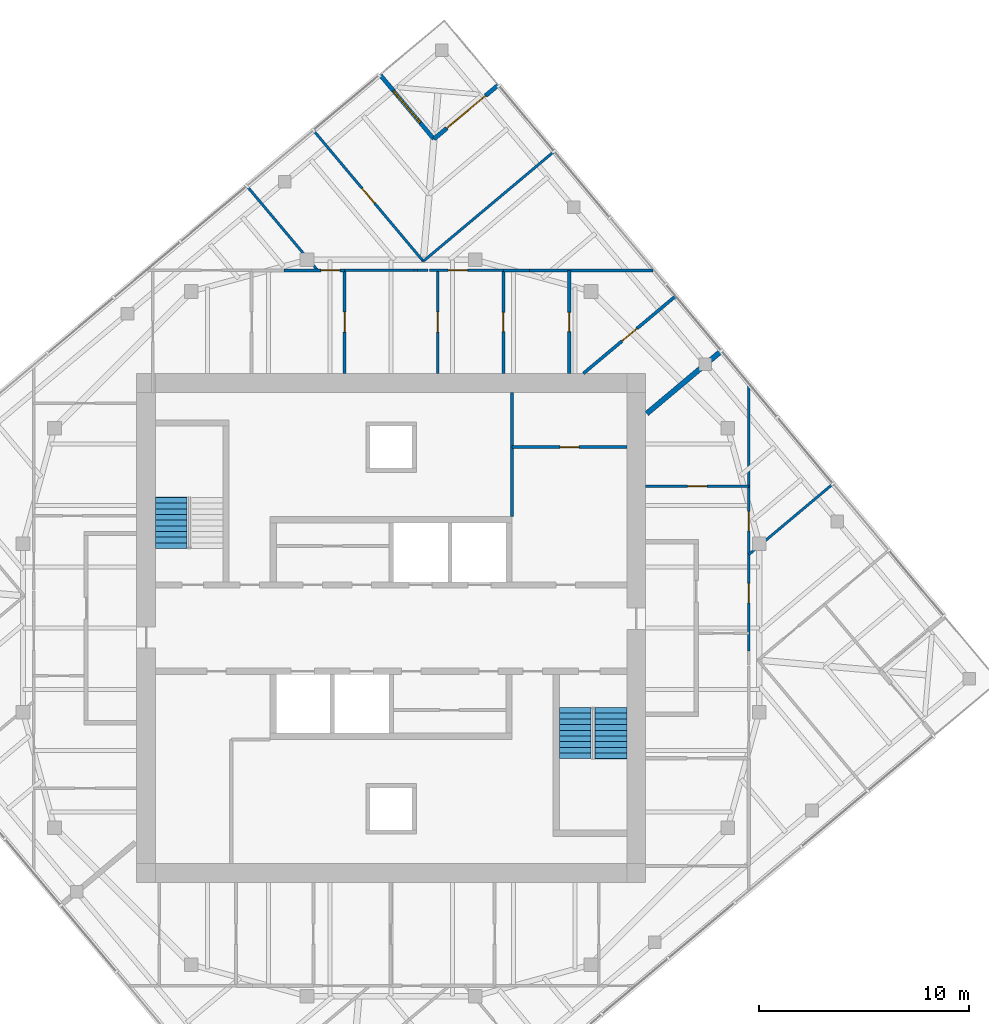
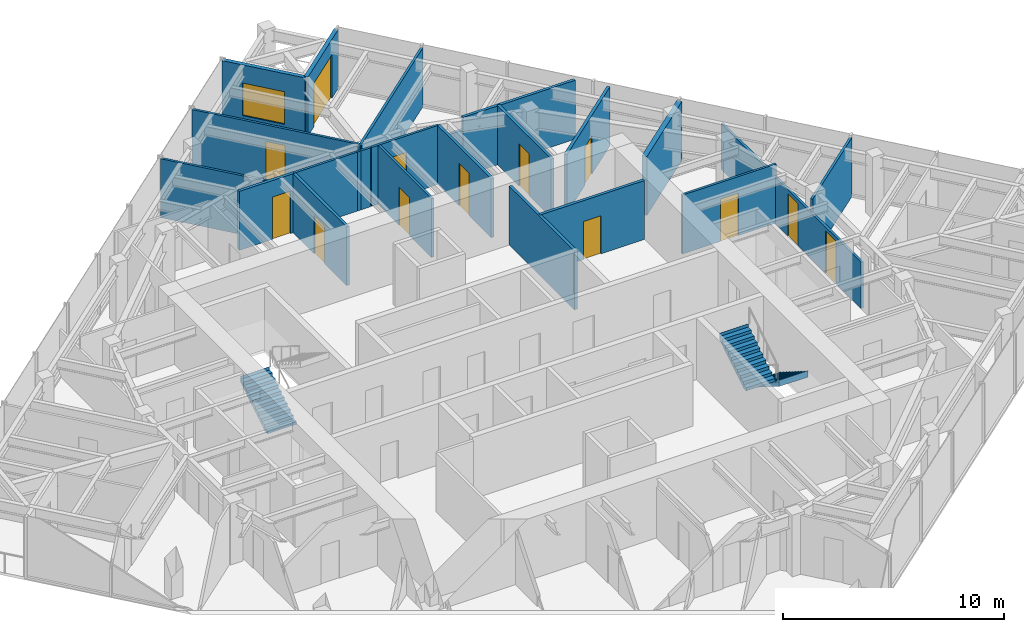
# One storey, part 10 of 12: 23 walls, 13 doors, 3 stair flights, 1 window, 14 openings, 2 elements without a shape of their own.
"""IFC4 building model written with IfcOpenShell, lengths in metres."""

from ifc_helpers import new_model, si_unit, direction, frame, frame_2d, origin, place, context, subcontext, project, spatial, polyline, rectangle, outline, extrude, material, layer, layer_set, type_object, element, fill, aggregate, save


model = new_model("IFC4")

# Units and contexts
model_context = context("Model", 3, precision=1e-05, world=origin(), true_north=direction((0.0, 1.0)))
body_context = subcontext(model_context, "Body", "Model", "MODEL_VIEW")
ifc_project = project(units=[si_unit("LENGTHUNIT", "METRE"), si_unit("AREAUNIT", "SQUARE_METRE"), si_unit("VOLUMEUNIT", "CUBIC_METRE"), si_unit("PLANEANGLEUNIT", "RADIAN"), si_unit("MASSUNIT", "GRAM", prefix="KILO")], contexts=[model_context])

# Site, building, storey
site_placement = place(None, origin())
site = spatial("IfcSite", under=ifc_project, at=site_placement, CompositionType="ELEMENT")
building_placement = place(site_placement, origin())
building = spatial("IfcBuilding", under=site, at=building_placement, Name="Torsade Residences", CompositionType="ELEMENT")
storey_placement = place(building_placement, frame((0.0, 0.0, 279.39990234375)))
storey = spatial("IfcBuildingStorey", under=building, at=storey_placement, Name="L77", CompositionType="ELEMENT", Elevation=279.39990234375)

# Wall, opening, door
ifc_material_1 = material(Name="Plasterboard on steel stud", Category="steel")
ifc_layer_1 = layer(ifc_material_1, 0.1201171875)
ifc_layer_set_1 = layer_set([ifc_layer_1], Name="Plasterboard on steel stud")
wall_type_1 = type_object("IfcWallType", Name="PARTITION 120", PredefinedType="PARTITIONING", material=ifc_layer_set_1)
wall_1_placement = place(storey_placement, frame((52.10009765625, 36.729736328125, 0.0), z_axis=(0.0, 0.0, 1.0), x_axis=(1.0, 0.0, 0.0)))
wall_1 = element("IfcWall", 1, at=wall_1_placement, inside=storey, type_object=wall_type_1, Name="Partition L77", PredefinedType="PARTITIONING", context=body_context, shape_type="SweptSolid", body=[
    extrude(rectangle(XDim=4.89990234375, YDim=0.1201171875, at=frame_2d((2.449951171875, 0.0))), origin(), (0.0, 0.0, 1.0), 3.25),
])
opening_1_placement = place(wall_1_placement, frame((1.989990234375, 0.0, 0.0)))
opening_1 = element("IfcOpeningElement", 2, at=opening_1_placement, cuts=wall_1, Name="Opening D02", PredefinedType="OPENING", context=body_context, shape_type="SweptSolid", body=[
    extrude(rectangle(XDim=0.919921875, YDim=2.340087890625, at=frame_2d((0.4599609375, 1.169921875))), frame((0.0, 0.070068359375, 0.0), z_axis=(0.0, -1.0, 0.0), x_axis=(1.0, 0.0, 0.0)), (0.0, 0.0, 1.0), 0.14013671875),
])
ifc_material_2 = material(Name="Hollow-core timber door", Category="wood")
door_type_1 = type_object("IfcDoorType", Name="INTERNAL DOOR 920x2340", OperationType="NOTDEFINED", PredefinedType="DOOR", material=ifc_material_2)
door_1_placement = place(opening_1_placement, origin())
door_1 = element("IfcDoor", 3, at=door_1_placement, inside=storey, type_object=door_type_1, Name="Door Kitchen and dining to Scullery", OperationType="SINGLE_SWING_RIGHT", OverallHeight=2.340087890625, OverallWidth=0.919921875, PredefinedType="DOOR", context=body_context, shape_type="SweptSolid", body=[
    extrude(rectangle(XDim=0.919921875, YDim=2.340087890625, at=frame_2d((0.4599609375, 1.169921875))), frame((0.0, 0.02490234375, 0.0), z_axis=(0.0, -1.0, 0.0), x_axis=(1.0, 0.0, 0.0)), (0.0, 0.0, 1.0), 0.050048828125),
])
fill(opening_1, door_1)

# Wall, openings, doors
wall_2_placement = place(storey_placement, frame((57.0, 41.5703125, 0.0), z_axis=(0.0, 0.0, 1.0), x_axis=(0.0, -1.0, 0.0)))
wall_2 = element("IfcWall", 4, at=wall_2_placement, inside=storey, type_object=wall_type_1, Name="Partition L77", PredefinedType="PARTITIONING", context=body_context, shape_type="SweptSolid", body=[
    extrude(rectangle(XDim=12.65576171875, YDim=0.1201171875, at=frame_2d((6.327880859375, 0.0))), origin(), (0.0, 0.0, 1.0), 2.550048828125),
])
opening_2_placement = place(wall_2_placement, frame((9.449462890625, 0.0, 0.0)))
opening_2 = element("IfcOpeningElement", 5, at=opening_2_placement, cuts=wall_2, Name="Opening D02", PredefinedType="OPENING", context=body_context, shape_type="SweptSolid", body=[
    extrude(rectangle(XDim=0.919921875, YDim=2.340087890625, at=frame_2d((0.4599609375, 1.169921875))), frame((0.0, 0.070068359375, 0.0), z_axis=(0.0, -1.0, 0.0), x_axis=(1.0, 0.0, 0.0)), (0.0, 0.0, 1.0), 0.14013671875),
])
opening_3_placement = place(wall_2_placement, frame((6.030517578125, 0.0, 0.0)))
opening_3 = element("IfcOpeningElement", 6, at=opening_3_placement, cuts=wall_2, Name="Opening D02", PredefinedType="OPENING", context=body_context, shape_type="SweptSolid", body=[
    extrude(rectangle(XDim=0.919921875, YDim=2.340087890625, at=frame_2d((0.4599609375, 1.169921875))), frame((0.0, 0.070068359375, 0.0), z_axis=(0.0, -1.0, 0.0), x_axis=(1.0, 0.0, 0.0)), (0.0, 0.0, 1.0), 0.14013671875),
])
door_2_placement = place(opening_2_placement, origin())
door_2 = element("IfcDoor", 7, at=door_2_placement, inside=storey, type_object=door_type_1, Name="Door Kitchen and dining to Bedroom 4", OperationType="SINGLE_SWING_LEFT", OverallHeight=2.340087890625, OverallWidth=0.919921875, PredefinedType="DOOR", context=body_context, shape_type="SweptSolid", body=[
    extrude(rectangle(XDim=0.919921875, YDim=2.340087890625, at=frame_2d((0.4599609375, 1.169921875))), frame((0.0, 0.02490234375, 0.0), z_axis=(0.0, -1.0, 0.0), x_axis=(1.0, 0.0, 0.0)), (0.0, 0.0, 1.0), 0.050048828125),
])
fill(opening_2, door_2)
door_3_placement = place(opening_3_placement, origin())
door_3 = element("IfcDoor", 8, at=door_3_placement, inside=storey, type_object=door_type_1, Name="Door Kitchen and dining to Media room", OperationType="SINGLE_SWING_RIGHT", OverallHeight=2.340087890625, OverallWidth=0.919921875, PredefinedType="DOOR", context=body_context, shape_type="SweptSolid", body=[
    extrude(rectangle(XDim=0.919921875, YDim=2.340087890625, at=frame_2d((0.4599609375, 1.169921875))), frame((0.0, 0.02490234375, 0.0), z_axis=(0.0, -1.0, 0.0), x_axis=(1.0, 0.0, 0.0)), (0.0, 0.0, 1.0), 0.050048828125),
])
fill(opening_3, door_3)

# Wall
wall_3_placement = place(storey_placement, frame((57.0, 33.4951171875, 0.0), z_axis=(0.0, 0.0, 1.0), x_axis=(0.76605407051, 0.642776136034, 0.0)))
element("IfcWall", 9, at=wall_3_placement, inside=storey, type_object=wall_type_1, Name="Partition L77", PredefinedType="PARTITIONING", context=body_context, shape_type="SweptSolid", body=[
    extrude(rectangle(XDim=5.190673828125, YDim=0.1201171875, at=frame_2d((2.59521484375, 0.0))), origin(), (0.0, 0.0, 1.0), 3.25),
])

# Wall, opening, door
wall_4_placement = place(storey_placement, frame((42.208251953125, 47.0, 0.0), z_axis=(0.0, 0.0, 1.0), x_axis=(0.0, -1.0, 0.0)))
wall_4 = element("IfcWall", 10, at=wall_4_placement, inside=storey, type_object=wall_type_1, Name="Partition L77", PredefinedType="PARTITIONING", context=body_context, shape_type="SweptSolid", body=[
    extrude(rectangle(XDim=4.89990234375, YDim=0.1201171875, at=frame_2d((2.449951171875, 0.0))), origin(), (0.0, 0.0, 1.0), 3.25),
])
opening_4_placement = place(wall_4_placement, frame((1.969970703125, 0.0, 0.0)))
opening_4 = element("IfcOpeningElement", 11, at=opening_4_placement, cuts=wall_4, Name="Opening D05", PredefinedType="OPENING", context=body_context, shape_type="SweptSolid", body=[
    extrude(rectangle(XDim=0.9599609375, YDim=2.10009765625, at=frame_2d((0.47998046875, 1.050048828125))), frame((0.0, 0.070068359375, 0.0), z_axis=(0.0, -1.0, 0.0), x_axis=(1.0, 0.0, 0.0)), (0.0, 0.0, 1.0), 0.14013671875),
])
ifc_material_3 = material(Name="Hollow-core timber door in a steel cavity frame", Category="steel")
door_type_2 = type_object("IfcDoorType", Name="BATHROOM CAVITY SLIDING DOOR 960", OperationType="SLIDING_TO_LEFT", PredefinedType="DOOR", material=ifc_material_3)
door_4_placement = place(opening_4_placement, origin())
door_4 = element("IfcDoor", 12, at=door_4_placement, inside=storey, type_object=door_type_2, Name="Door Laundry to Walk-in robe", OperationType="SLIDING_TO_LEFT", OverallHeight=2.10009765625, OverallWidth=0.9599609375, PredefinedType="DOOR", context=body_context, shape_type="SweptSolid", body=[
    extrude(rectangle(XDim=0.9599609375, YDim=2.10009765625, at=frame_2d((0.47998046875, 1.050048828125))), frame((0.0, 0.02490234375, 0.0), z_axis=(0.0, -1.0, 0.0), x_axis=(1.0, 0.0, 0.0)), (0.0, 0.0, 1.0), 0.050048828125),
])
fill(opening_4, door_4)

# Wall
wall_5_placement = place(storey_placement, frame((41.257568359375, 47.0, 0.0), z_axis=(0.0, 0.0, 1.0), x_axis=(1.0, 0.0, 0.0)))
element("IfcWall", 13, at=wall_5_placement, inside=storey, type_object=wall_type_1, Name="Partition L77", PredefinedType="PARTITIONING", context=body_context, shape_type="SweptSolid", body=[
    extrude(rectangle(XDim=0.503662109375, YDim=0.1201171875, at=frame_2d((0.251953125, 0.0))), origin(), (0.0, 0.0, 1.0), 3.25),
])

# Wall, opening, door
wall_6_placement = place(storey_placement, frame((41.824462890625, 47.0, 0.0), z_axis=(0.0, 0.0, 1.0), x_axis=(1.0, 0.0, 0.0)))
wall_6 = element("IfcWall", 14, at=wall_6_placement, inside=storey, type_object=wall_type_1, Name="Partition L77", PredefinedType="PARTITIONING", context=body_context, shape_type="SweptSolid", body=[
    extrude(rectangle(XDim=3.51123046875, YDim=0.1201171875, at=frame_2d((1.755615234375, 0.0))), origin(), (0.0, 0.0, 1.0), 3.25),
])
opening_5_placement = place(wall_6_placement, frame((0.887451171875, 0.0, 0.0)))
opening_5 = element("IfcOpeningElement", 15, at=opening_5_placement, cuts=wall_6, Name="Opening D02", PredefinedType="OPENING", context=body_context, shape_type="SweptSolid", body=[
    extrude(rectangle(XDim=0.919921875, YDim=2.340087890625, at=frame_2d((0.4599609375, 1.169921875))), frame((0.0, 0.070068359375, 0.0), z_axis=(0.0, -1.0, 0.0), x_axis=(1.0, 0.0, 0.0)), (0.0, 0.0, 1.0), 0.14013671875),
])
door_5_placement = place(opening_5_placement, origin())
door_5 = element("IfcDoor", 16, at=door_5_placement, inside=storey, type_object=door_type_1, Name="Door Walk-in robe to Bedroom 2", OperationType="SINGLE_SWING_RIGHT", OverallHeight=2.340087890625, OverallWidth=0.919921875, PredefinedType="DOOR", context=body_context, shape_type="SweptSolid", body=[
    extrude(rectangle(XDim=0.919921875, YDim=2.340087890625, at=frame_2d((0.4599609375, 1.169921875))), frame((0.0, 0.02490234375, 0.0), z_axis=(0.0, -1.0, 0.0), x_axis=(1.0, 0.0, 0.0)), (0.0, 0.0, 1.0), 0.050048828125),
])
fill(opening_5, door_5)

# Walls
wall_7_placement = place(storey_placement, frame((37.7861328125, 47.0, 0.0), z_axis=(0.0, 0.0, 1.0), x_axis=(1.0, 0.0, 0.0)))
element("IfcWall", 17, at=wall_7_placement, inside=storey, type_object=wall_type_1, Name="Partition L77", PredefinedType="PARTITIONING", context=body_context, shape_type="SweptSolid", body=[
    extrude(rectangle(XDim=3.29931640625, YDim=0.1201171875, at=frame_2d((1.649658203125, 0.0))), origin(), (0.0, 0.0, 1.0), 3.25),
])
wall_8_placement = place(storey_placement, frame((47.71875, 52.63134765625, 0.0), z_axis=(0.0, 0.0, 1.0), x_axis=(-0.766033729027, -0.642800378028, 0.0)))
element("IfcWall", 18, at=wall_8_placement, inside=storey, type_object=wall_type_1, Name="Partition L77", PredefinedType="PARTITIONING", context=body_context, shape_type="SweptSolid", body=[
    extrude(rectangle(XDim=8.0849609375, YDim=0.1201171875, at=frame_2d((4.04248046875, 0.0))), origin(), (0.0, 0.0, 1.0), 3.25),
])

# Wall, opening, door
wall_9_placement = place(storey_placement, frame((41.525390625, 47.434326171875, 0.0), z_axis=(0.0, 0.0, 1.0), x_axis=(-0.642800378028, 0.766033729027, 0.0)))
wall_9 = element("IfcWall", 19, at=wall_9_placement, inside=storey, type_object=wall_type_1, Name="Partition L77", PredefinedType="PARTITIONING", context=body_context, shape_type="SweptSolid", body=[
    extrude(rectangle(XDim=8.0849609375, YDim=0.1201171875, at=frame_2d((4.04248046875, 0.0))), origin(), (0.0, 0.0, 1.0), 3.25),
])
opening_6_placement = place(wall_9_placement, frame((3.6025390625, 0.0, 0.0)))
opening_6 = element("IfcOpeningElement", 20, at=opening_6_placement, cuts=wall_9, Name="Opening D02", PredefinedType="OPENING", context=body_context, shape_type="SweptSolid", body=[
    extrude(rectangle(XDim=0.919921875, YDim=2.340087890625, at=frame_2d((0.4599609375, 1.169921875))), frame((0.0, 0.070068359375, 0.0), z_axis=(0.0, -1.0, 0.0), x_axis=(1.0, 0.0, 0.0)), (0.0, 0.0, 1.0), 0.14013671875),
])
door_6_placement = place(opening_6_placement, origin())
door_6 = element("IfcDoor", 21, at=door_6_placement, inside=storey, type_object=door_type_1, Name="Door Bedroom 4 to Living room", OperationType="SINGLE_SWING_RIGHT", OverallHeight=2.340087890625, OverallWidth=0.919921875, PredefinedType="DOOR", context=body_context, shape_type="SweptSolid", body=[
    extrude(rectangle(XDim=0.919921875, YDim=2.340087890625, at=frame_2d((0.4599609375, 1.169921875))), frame((0.0, 0.02490234375, 0.0), z_axis=(0.0, -1.0, 0.0), x_axis=(1.0, 0.0, 0.0)), (0.0, 0.0, 1.0), 0.050048828125),
])
fill(opening_6, door_6)

# Walls
wall_10_placement = place(storey_placement, frame((36.5048828125, 47.0, 0.0), z_axis=(0.0, 0.0, 1.0), x_axis=(-0.642776136034, 0.76605407051, 0.0)))
element("IfcWall", 22, at=wall_10_placement, inside=storey, type_object=wall_type_1, Name="Partition L77", PredefinedType="PARTITIONING", context=body_context, shape_type="SweptSolid", body=[
    extrude(rectangle(XDim=5.190673828125, YDim=0.1201171875, at=frame_2d((2.59521484375, 0.0))), origin(), (0.0, 0.0, 1.0), 3.25),
])
wall_11_placement = place(storey_placement, frame((41.257568359375, 47.0, 0.0), z_axis=(0.0, 0.0, 1.0), x_axis=(-1.0, 0.0, 0.0)))
element("IfcWall", 23, at=wall_11_placement, inside=storey, type_object=wall_type_1, Name="Partition L77", PredefinedType="PARTITIONING", context=body_context, shape_type="SweptSolid", body=[
    extrude(rectangle(XDim=0.172119140625, YDim=0.1201171875, at=frame_2d((0.0859375, 0.0))), origin(), (0.0, 0.0, 1.0), 3.25),
])
ifc_material_4 = material(Name="Masonry-lined stud party wall", Category="masonry")
ifc_layer_2 = layer(ifc_material_4, 0.25)
ifc_layer_set_2 = layer_set([ifc_layer_2], Name="Masonry-lined stud party wall")
wall_type_2 = type_object("IfcWallType", Name="PARTY WALL 250", PredefinedType="PARTITIONING", material=ifc_layer_set_2)
wall_12_placement = place(storey_placement, frame((55.703857421875, 43.17724609375, 0.0), z_axis=(0.0, 0.0, 1.0), x_axis=(-0.76603440109, -0.64279957712, 0.0)))
element("IfcWall", 24, at=wall_12_placement, inside=storey, type_object=wall_type_2, Name="Party wall L77", PredefinedType="PARTITIONING", context=body_context, shape_type="SweptSolid", body=[
    extrude(rectangle(XDim=4.6396484375, YDim=0.25, at=frame_2d((2.31982421875, 0.0))), origin(), (0.0, 0.0, 1.0), 3.25),
])
ifc_material_5 = material(Name="Reinforced blockwork", Category="masonry")
ifc_layer_3 = layer(ifc_material_5, 0.14990234375)
ifc_layer_set_3 = layer_set([ifc_layer_3], Name="Reinforced blockwork")
wall_type_3 = type_object("IfcWallType", Name="SERVICE ROOM WALL 150", PredefinedType="SOLIDWALL", material=ifc_layer_set_3)
wall_13_placement = place(storey_placement, frame((45.75, 41.199951171875, 0.0), z_axis=(0.0, 0.0, 1.0), x_axis=(0.0, -1.0, 0.0)))
element("IfcWall", 25, at=wall_13_placement, inside=storey, type_object=wall_type_3, Name="Service room wall L77", PredefinedType="SOLIDWALL", context=body_context, shape_type="SweptSolid", body=[
    extrude(rectangle(XDim=5.89990234375, YDim=0.14990234375, at=frame_2d((2.949951171875, 0.0))), origin(), (0.0, 0.0, 1.0), 3.25),
])

# Wall, opening, door
wall_14_placement = place(storey_placement, frame((45.75, 38.60009765625, 0.0), z_axis=(0.0, 0.0, 1.0), x_axis=(1.0, 0.0, 0.0)))
wall_14 = element("IfcWall", 26, at=wall_14_placement, inside=storey, type_object=wall_type_3, Name="Service room wall L77", PredefinedType="SOLIDWALL", context=body_context, shape_type="SweptSolid", body=[
    extrude(rectangle(XDim=5.449951171875, YDim=0.14990234375, at=frame_2d((2.72509765625, 0.0))), origin(), (0.0, 0.0, 1.0), 3.25),
])
opening_7_placement = place(wall_14_placement, frame((2.264892578125, 0.0, 0.0)))
opening_7 = element("IfcOpeningElement", 27, at=opening_7_placement, cuts=wall_14, Name="Opening D06", PredefinedType="OPENING", context=body_context, shape_type="SweptSolid", body=[
    extrude(rectangle(XDim=0.919921875, YDim=2.10009765625, at=frame_2d((0.4599609375, 1.050048828125))), frame((0.0, 0.0849609375, 0.0), z_axis=(0.0, -1.0, 0.0), x_axis=(1.0, 0.0, 0.0)), (0.0, 0.0, 1.0), 0.169921875),
])
ifc_material_6 = material(Name="Steel-framed fire door", Category="steel")
door_type_3 = type_object("IfcDoorType", Name="FIRE DOOR 920", OperationType="NOTDEFINED", PredefinedType="DOOR", material=ifc_material_6)
door_7_placement = place(opening_7_placement, origin())
door_7 = element("IfcDoor", 28, at=door_7_placement, inside=storey, type_object=door_type_3, Name="Door Refuse room to Bulky waste store", OperationType="SINGLE_SWING_LEFT", OverallHeight=2.10009765625, OverallWidth=0.919921875, PredefinedType="DOOR", context=body_context, shape_type="SweptSolid", body=[
    extrude(rectangle(XDim=0.919921875, YDim=2.10009765625, at=frame_2d((0.4599609375, 1.050048828125))), frame((0.0, 0.02490234375, 0.0), z_axis=(0.0, -1.0, 0.0), x_axis=(1.0, 0.0, 0.0)), (0.0, 0.0, 1.0), 0.050048828125),
])
fill(opening_7, door_7)

wall_15_placement = place(storey_placement, frame((37.7861328125, 42.10009765625, 0.0), z_axis=(0.0, 0.0, 1.0), x_axis=(0.0, 1.0, 0.0)))
wall_15 = element("IfcWall", 29, at=wall_15_placement, inside=storey, type_object=wall_type_3, Name="Service room wall L77", PredefinedType="SOLIDWALL", context=body_context, shape_type="SweptSolid", body=[
    extrude(rectangle(XDim=4.89990234375, YDim=0.14990234375, at=frame_2d((2.449951171875, 0.0))), origin(), (0.0, 0.0, 1.0), 3.25),
])
opening_8_placement = place(wall_15_placement, frame((1.969970703125, 0.0, 0.0)))
opening_8 = element("IfcOpeningElement", 30, at=opening_8_placement, cuts=wall_15, Name="Opening D05", PredefinedType="OPENING", context=body_context, shape_type="SweptSolid", body=[
    extrude(rectangle(XDim=0.9599609375, YDim=2.10009765625, at=frame_2d((0.47998046875, 1.050048828125))), frame((0.0, 0.0849609375, 0.0), z_axis=(0.0, -1.0, 0.0), x_axis=(1.0, 0.0, 0.0)), (0.0, 0.0, 1.0), 0.169921875),
])
door_8_placement = place(opening_8_placement, origin())
door_8 = element("IfcDoor", 31, at=door_8_placement, inside=storey, type_object=door_type_2, Name="Door Linen store to Laundry", OperationType="SLIDING_TO_LEFT", OverallHeight=2.10009765625, OverallWidth=0.9599609375, PredefinedType="DOOR", context=body_context, shape_type="SweptSolid", body=[
    extrude(rectangle(XDim=0.9599609375, YDim=2.10009765625, at=frame_2d((0.47998046875, 1.050048828125))), frame((0.0, 0.02490234375, 0.0), z_axis=(0.0, -1.0, 0.0), x_axis=(1.0, 0.0, 0.0)), (0.0, 0.0, 1.0), 0.050048828125),
])
fill(opening_8, door_8)

wall_16_placement = place(storey_placement, frame((34.916748046875, 47.0, 0.0), z_axis=(0.0, 0.0, 1.0), x_axis=(1.0, 0.0, 0.0)))
wall_16 = element("IfcWall", 32, at=wall_16_placement, inside=storey, type_object=wall_type_3, Name="Service room wall L77", PredefinedType="SOLIDWALL", context=body_context, shape_type="SweptSolid", body=[
    extrude(rectangle(XDim=2.869384765625, YDim=0.14990234375, at=frame_2d((1.4345703125, 0.0))), origin(), (0.0, 0.0, 1.0), 3.25),
])
opening_9_placement = place(wall_16_placement, frame((1.736083984375, 0.0, 0.0)))
opening_9 = element("IfcOpeningElement", 33, at=opening_9_placement, cuts=wall_16, Name="Opening D02", PredefinedType="OPENING", context=body_context, shape_type="SweptSolid", body=[
    extrude(rectangle(XDim=0.919921875, YDim=2.340087890625, at=frame_2d((0.4599609375, 1.169921875))), frame((0.0, 0.0849609375, 0.0), z_axis=(0.0, -1.0, 0.0), x_axis=(1.0, 0.0, 0.0)), (0.0, 0.0, 1.0), 0.169921875),
])
door_9_placement = place(opening_9_placement, origin())
door_9 = element("IfcDoor", 34, at=door_9_placement, inside=storey, type_object=door_type_1, Name="Door Linen store to Bedroom 4", OperationType="SINGLE_SWING_LEFT", OverallHeight=2.340087890625, OverallWidth=0.919921875, PredefinedType="DOOR", context=body_context, shape_type="SweptSolid", body=[
    extrude(rectangle(XDim=0.919921875, YDim=2.340087890625, at=frame_2d((0.4599609375, 1.169921875))), frame((0.0, 0.02490234375, 0.0), z_axis=(0.0, -1.0, 0.0), x_axis=(1.0, 0.0, 0.0)), (0.0, 0.0, 1.0), 0.050048828125),
])
fill(opening_9, door_9)

wall_17_placement = place(storey_placement, frame((49.135986328125, 42.10009765625, 0.0), z_axis=(0.0, 0.0, 1.0), x_axis=(0.766055078255, 0.642774935012, 0.0)))
wall_17 = element("IfcWall", 35, at=wall_17_placement, inside=storey, type_object=wall_type_3, Name="Service room wall L77", PredefinedType="SOLIDWALL", context=body_context, shape_type="SweptSolid", body=[
    extrude(rectangle(XDim=5.68359375, YDim=0.14990234375, at=frame_2d((2.841796875, 0.0))), origin(), (0.0, 0.0, 1.0), 3.25),
])
opening_10_placement = place(wall_17_placement, frame((2.40185546875, 0.0, 0.0)))
opening_10 = element("IfcOpeningElement", 36, at=opening_10_placement, cuts=wall_17, Name="Opening D02L", PredefinedType="OPENING", context=body_context, shape_type="SweptSolid", body=[
    extrude(rectangle(XDim=0.919921875, YDim=2.10009765625, at=frame_2d((0.4599609375, 1.050048828125))), frame((0.0, 0.0849609375, 0.0), z_axis=(0.0, -1.0, 0.0), x_axis=(1.0, 0.0, 0.0)), (0.0, 0.0, 1.0), 0.169921875),
])
ifc_material_7 = material(Name="Hollow-core timber door", Category="wood")
door_type_4 = type_object("IfcDoorType", Name="INTERNAL DOOR 920x2100", OperationType="NOTDEFINED", PredefinedType="DOOR", material=ifc_material_7)
door_10_placement = place(opening_10_placement, origin())
door_10 = element("IfcDoor", 37, at=door_10_placement, inside=storey, type_object=door_type_4, Name="Door Linen store 2 to Study", OperationType="SINGLE_SWING_LEFT", OverallHeight=2.10009765625, OverallWidth=0.919921875, PredefinedType="DOOR", context=body_context, shape_type="SweptSolid", body=[
    extrude(rectangle(XDim=0.919921875, YDim=2.10009765625, at=frame_2d((0.4599609375, 1.050048828125))), frame((0.0, 0.02490234375, 0.0), z_axis=(0.0, -1.0, 0.0), x_axis=(1.0, 0.0, 0.0)), (0.0, 0.0, 1.0), 0.050048828125),
])
fill(opening_10, door_10)

wall_18_placement = place(storey_placement, frame((48.463134765625, 42.10009765625, 0.0), z_axis=(0.0, 0.0, 1.0), x_axis=(0.0, 1.0, 0.0)))
wall_18 = element("IfcWall", 38, at=wall_18_placement, inside=storey, type_object=wall_type_3, Name="Service room wall L77", PredefinedType="SOLIDWALL", context=body_context, shape_type="SweptSolid", body=[
    extrude(rectangle(XDim=4.89990234375, YDim=0.14990234375, at=frame_2d((2.449951171875, 0.0))), origin(), (0.0, 0.0, 1.0), 3.25),
])
opening_11_placement = place(wall_18_placement, frame((1.989990234375, 0.0, 0.0)))
opening_11 = element("IfcOpeningElement", 39, at=opening_11_placement, cuts=wall_18, Name="Opening D02", PredefinedType="OPENING", context=body_context, shape_type="SweptSolid", body=[
    extrude(rectangle(XDim=0.919921875, YDim=2.340087890625, at=frame_2d((0.4599609375, 1.169921875))), frame((0.0, 0.0849609375, 0.0), z_axis=(0.0, -1.0, 0.0), x_axis=(1.0, 0.0, 0.0)), (0.0, 0.0, 1.0), 0.169921875),
])
door_11_placement = place(opening_11_placement, origin())
door_11 = element("IfcDoor", 40, at=door_11_placement, inside=storey, type_object=door_type_1, Name="Door Store to Linen store 2", OperationType="SINGLE_SWING_RIGHT", OverallHeight=2.340087890625, OverallWidth=0.919921875, PredefinedType="DOOR", context=body_context, shape_type="SweptSolid", body=[
    extrude(rectangle(XDim=0.919921875, YDim=2.340087890625, at=frame_2d((0.4599609375, 1.169921875))), frame((0.0, 0.02490234375, 0.0), z_axis=(0.0, -1.0, 0.0), x_axis=(1.0, 0.0, 0.0)), (0.0, 0.0, 1.0), 0.050048828125),
])
fill(opening_11, door_11)

# Walls
wall_19_placement = place(storey_placement, frame((45.335693359375, 47.0, 0.0), z_axis=(0.0, 0.0, 1.0), x_axis=(1.0, 0.0, 0.0)))
element("IfcWall", 41, at=wall_19_placement, inside=storey, type_object=wall_type_3, Name="Service room wall L77", PredefinedType="SOLIDWALL", context=body_context, shape_type="SweptSolid", body=[
    extrude(rectangle(XDim=1.247802734375, YDim=0.14990234375, at=frame_2d((0.6240234375, 0.0))), origin(), (0.0, 0.0, 1.0), 2.550048828125),
])
wall_20_placement = place(storey_placement, frame((46.58349609375, 47.0, 0.0), z_axis=(0.0, 0.0, 1.0), x_axis=(1.0, 0.0, 0.0)))
element("IfcWall", 42, at=wall_20_placement, inside=storey, type_object=wall_type_3, Name="Service room wall L77", PredefinedType="SOLIDWALL", context=body_context, shape_type="SweptSolid", body=[
    extrude(rectangle(XDim=5.8603515625, YDim=0.14990234375, at=frame_2d((2.93017578125, 0.0))), origin(), (0.0, 0.0, 1.0), 3.25),
])

# Wall, opening, door
wall_21_placement = place(storey_placement, frame((45.335693359375, 47.0, 0.0), z_axis=(0.0, 0.0, 1.0), x_axis=(0.0, -1.0, 0.0)))
wall_21 = element("IfcWall", 43, at=wall_21_placement, inside=storey, type_object=wall_type_3, Name="Service room wall L77", PredefinedType="SOLIDWALL", context=body_context, shape_type="SweptSolid", body=[
    extrude(rectangle(XDim=4.89990234375, YDim=0.14990234375, at=frame_2d((2.449951171875, 0.0))), origin(), (0.0, 0.0, 1.0), 3.25),
])
opening_12_placement = place(wall_21_placement, frame((1.989990234375, 0.0, 0.0)))
opening_12 = element("IfcOpeningElement", 44, at=opening_12_placement, cuts=wall_21, Name="Opening D02", PredefinedType="OPENING", context=body_context, shape_type="SweptSolid", body=[
    extrude(rectangle(XDim=0.919921875, YDim=2.340087890625, at=frame_2d((0.4599609375, 1.169921875))), frame((0.0, 0.0849609375, 0.0), z_axis=(0.0, -1.0, 0.0), x_axis=(1.0, 0.0, 0.0)), (0.0, 0.0, 1.0), 0.169921875),
])
door_12_placement = place(opening_12_placement, origin())
door_12 = element("IfcDoor", 45, at=door_12_placement, inside=storey, type_object=door_type_1, Name="Door Walk-in robe to Store", OperationType="SINGLE_SWING_LEFT", OverallHeight=2.340087890625, OverallWidth=0.919921875, PredefinedType="DOOR", context=body_context, shape_type="SweptSolid", body=[
    extrude(rectangle(XDim=0.919921875, YDim=2.340087890625, at=frame_2d((0.4599609375, 1.169921875))), frame((0.0, 0.02490234375, 0.0), z_axis=(0.0, -1.0, 0.0), x_axis=(1.0, 0.0, 0.0)), (0.0, 0.0, 1.0), 0.050048828125),
])
fill(opening_12, door_12)

ifc_material_8 = material(Name="Stone-faced precast concrete 40 MPa panel", Category="masonry")
ifc_layer_4 = layer(ifc_material_8, 0.199951171875)
ifc_layer_set_4 = layer_set([ifc_layer_4], Name="Stone-faced precast concrete 40 MPa panel")
wall_type_4 = type_object("IfcWallType", Name="TERRACE WALL 200", PredefinedType="SOLIDWALL", material=ifc_layer_set_4)
wall_22_placement = place(storey_placement, frame((45.097900390625, 55.81689453125, 0.0), z_axis=(0.0, 0.0, 1.0), x_axis=(-0.766060656284, -0.642768287094, 0.0)))
wall_22 = element("IfcWall", 46, at=wall_22_placement, inside=storey, type_object=wall_type_4, Name="Terrace wall L77 5", PredefinedType="SOLIDWALL", context=body_context, shape_type="SweptSolid", body=[
    extrude(rectangle(XDim=4.0, YDim=0.199951171875, at=frame_2d((2.0, 0.0))), origin(), (0.0, 0.0, 1.0), 3.25),
])
opening_13_placement = place(wall_22_placement, frame((0.800048828125, 0.0, 0.0)))
opening_13 = element("IfcOpeningElement", 47, at=opening_13_placement, cuts=wall_22, Name="Opening D10", PredefinedType="OPENING", context=body_context, shape_type="SweptSolid", body=[
    extrude(rectangle(XDim=2.39990234375, YDim=2.39990234375, at=frame_2d((1.199951171875, 1.199951171875))), frame((0.0, 0.10986328125, 0.0), z_axis=(0.0, -1.0, 0.0), x_axis=(1.0, 0.0, 0.0)), (0.0, 0.0, 1.0), 0.219970703125),
])
ifc_material_9 = material(Name="Aluminium-framed glass door", Category="aluminium")
door_type_5 = type_object("IfcDoorType", Name="TERRACE SLIDING DOOR 2400", OperationType="SLIDING_TO_LEFT", PredefinedType="DOOR", material=ifc_material_9)
door_13_placement = place(opening_13_placement, origin())
door_13 = element("IfcDoor", 48, at=door_13_placement, inside=storey, type_object=door_type_5, Name="Terrace door L77 5", OperationType="SLIDING_TO_LEFT", OverallHeight=2.39990234375, OverallWidth=2.39990234375, PredefinedType="DOOR", context=body_context, shape_type="SweptSolid", body=[
    extrude(rectangle(XDim=2.39990234375, YDim=2.39990234375, at=frame_2d((1.199951171875, 1.199951171875))), frame((0.0, 0.02490234375, 0.0), z_axis=(0.0, -1.0, 0.0), x_axis=(1.0, 0.0, 0.0)), (0.0, 0.0, 1.0), 0.050048828125),
])
fill(opening_13, door_13)

# Wall, opening, window
wall_23_placement = place(storey_placement, frame((42.03369140625, 53.245849609375, 0.0), z_axis=(0.0, 0.0, 1.0), x_axis=(-0.642798342015, 0.766035437498, 0.0)))
wall_23 = element("IfcWall", 49, at=wall_23_placement, inside=storey, type_object=wall_type_4, Name="Terrace wall L77 6", PredefinedType="SOLIDWALL", context=body_context, shape_type="SweptSolid", body=[
    extrude(rectangle(XDim=3.999755859375, YDim=0.199951171875, at=frame_2d((2.0, 0.0))), origin(), (0.0, 0.0, 1.0), 3.25),
])
opening_14_placement = place(wall_23_placement, frame((1.0, 0.0, 0.449951171875)))
opening_14 = element("IfcOpeningElement", 50, at=opening_14_placement, cuts=wall_23, Name="Opening W1B", PredefinedType="OPENING", context=body_context, shape_type="SweptSolid", body=[
    extrude(rectangle(XDim=2.0, YDim=1.800048828125, at=frame_2d((1.0, 0.89990234375))), frame((0.0, 0.10986328125, 0.0), z_axis=(0.0, -1.0, 0.0), x_axis=(1.0, 0.0, 0.0)), (0.0, 0.0, 1.0), 0.219970703125),
])
ifc_material_10 = material(Name="Aluminium-framed glass window", Category="aluminium")
window_type = type_object("IfcWindowType", Name="TERRACE WINDOW 2000x1800", PartitioningType="SINGLE_PANEL", PredefinedType="WINDOW", material=ifc_material_10)
window_placement = place(opening_14_placement, origin())
window = element("IfcWindow", 51, at=window_placement, inside=storey, type_object=window_type, Name="Terrace window L77 6", OverallHeight=1.800048828125, OverallWidth=2.0, PartitioningType="SINGLE_PANEL", PredefinedType="WINDOW", context=body_context, shape_type="SweptSolid", body=[
    extrude(rectangle(XDim=2.0, YDim=1.800048828125, at=frame_2d((1.0, 0.89990234375))), frame((0.0, 0.030029296875, 0.0), z_axis=(0.0, -1.0, 0.0), x_axis=(1.0, 0.0, 0.0)), (0.0, 0.0, 1.0), 0.06005859375),
])
fill(opening_14, window)

# Stair, stair flight
ifc_material_11 = material(Name="Precast concrete 40 MPa", Category="concrete")
stair_type = type_object("IfcStairType", Name="HALF-TURN FIRE STAIR 1500x3400", PredefinedType="HALF_TURN_STAIR", material=ifc_material_11)
stair_1_placement = place(storey_placement, origin())
stair_1 = element("IfcStair", 52, at=stair_1_placement, inside=storey, type_object=stair_type, Name="Stair ST1 L77", PredefinedType="HALF_TURN_STAIR")
ifc_material_12 = material(Name="Precast concrete 40 MPa", Category="concrete")
stair_flight_type = type_object("IfcStairFlightType", Name="PRECAST STAIR FLIGHT 1500x1700", PredefinedType="STRAIGHT", material=ifc_material_12)
stair_flight_1_placement = place(storey_placement, frame((29.550048828125, 33.780029296875, 0.0), z_axis=(0.0, 0.0, 1.0), x_axis=(0.0, 1.0, 0.0)))
stair_flight_1 = element("IfcStairFlight", 53, at=stair_flight_1_placement, type_object=stair_flight_type, Name="ST1 flight 1", NumberOfRisers=10, NumberOfTreads=9, PredefinedType="STRAIGHT", RiserHeight=0.17, TreadLength=0.27, context=body_context, shape_type="SweptSolid", body=[
    extrude(outline(polyline([(0.0, 0.0), (0.0, 0.169921875), (0.27001953125, 0.169921875), (0.27001953125, 0.340087890625), (0.5400390625, 0.340087890625), (0.5400390625, 0.510009765625), (0.81005859375, 0.510009765625), (0.81005859375, 0.679931640625), (1.080078125, 0.679931640625), (1.080078125, 0.85009765625), (1.35009765625, 0.85009765625), (1.35009765625, 1.02001953125), (1.6201171875, 1.02001953125), (1.6201171875, 1.18994140625), (1.889892578125, 1.18994140625), (1.889892578125, 1.360107421875), (2.159912109375, 1.360107421875), (2.159912109375, 1.530029296875), (2.429931640625, 1.530029296875), (2.429931640625, 1.699951171875), (2.43994140625, 1.699951171875), (2.43994140625, 1.352783203125), (2.429931640625, 1.352783203125), (0.28125, 0.0), (0.0, 0.0)])), frame((0.0, 0.75, 0.0), z_axis=(0.0, -1.0, 0.0), x_axis=(1.0, 0.0, 0.0)), (0.0, 0.0, 1.0), 1.5),
])
aggregate(stair_1, [stair_flight_1])

# Stair, stair flights
stair_2_placement = place(storey_placement, origin())
stair_2 = element("IfcStair", 54, at=stair_2_placement, inside=storey, type_object=stair_type, Name="Stair ST2 L77", PredefinedType="HALF_TURN_STAIR")
stair_flight_2_placement = place(storey_placement, frame((50.449951171875, 26.219970703125, 0.0), z_axis=(0.0, 0.0, 1.0), x_axis=(0.0, -1.0, 0.0)))
stair_flight_2 = element("IfcStairFlight", 55, at=stair_flight_2_placement, type_object=stair_flight_type, Name="ST2 flight 1", NumberOfRisers=10, NumberOfTreads=9, PredefinedType="STRAIGHT", RiserHeight=0.17, TreadLength=0.27, context=body_context, shape_type="SweptSolid", body=[
    extrude(outline(polyline([(0.0, 0.0), (0.0, 0.169921875), (0.27001953125, 0.169921875), (0.27001953125, 0.340087890625), (0.5400390625, 0.340087890625), (0.5400390625, 0.510009765625), (0.81005859375, 0.510009765625), (0.81005859375, 0.679931640625), (1.080078125, 0.679931640625), (1.080078125, 0.85009765625), (1.35009765625, 0.85009765625), (1.35009765625, 1.02001953125), (1.6201171875, 1.02001953125), (1.6201171875, 1.18994140625), (1.889892578125, 1.18994140625), (1.889892578125, 1.360107421875), (2.159912109375, 1.360107421875), (2.159912109375, 1.530029296875), (2.429931640625, 1.530029296875), (2.429931640625, 1.699951171875), (2.43994140625, 1.699951171875), (2.43994140625, 1.352783203125), (2.429931640625, 1.352783203125), (0.28125, 0.0), (0.0, 0.0)])), frame((0.0, 0.75, 0.0), z_axis=(0.0, -1.0, 0.0), x_axis=(1.0, 0.0, 0.0)), (0.0, 0.0, 1.0), 1.5),
])
stair_flight_3_placement = place(storey_placement, frame((48.75, 23.7900390625, 1.7001953125), z_axis=(0.0, 0.0, 1.0), x_axis=(0.0, 1.0, 0.0)))
stair_flight_3 = element("IfcStairFlight", 56, at=stair_flight_3_placement, type_object=stair_flight_type, Name="ST2 flight 2", NumberOfRisers=10, NumberOfTreads=9, PredefinedType="STRAIGHT", RiserHeight=0.17, TreadLength=0.27, context=body_context, shape_type="SweptSolid", body=[
    extrude(outline(polyline([(0.0, 0.0), (0.0, 0.169921875), (0.27001953125, 0.169921875), (0.27001953125, 0.340087890625), (0.5400390625, 0.340087890625), (0.5400390625, 0.510009765625), (0.81005859375, 0.510009765625), (0.81005859375, 0.679931640625), (1.080078125, 0.679931640625), (1.080078125, 0.85009765625), (1.35009765625, 0.85009765625), (1.35009765625, 1.02001953125), (1.6201171875, 1.02001953125), (1.6201171875, 1.18994140625), (1.889892578125, 1.18994140625), (1.889892578125, 1.360107421875), (2.159912109375, 1.360107421875), (2.159912109375, 1.530029296875), (2.429931640625, 1.530029296875), (2.429931640625, 1.699951171875), (2.43994140625, 1.699951171875), (2.43994140625, 1.352783203125), (2.429931640625, 1.352783203125), (0.28125, 0.0), (0.0, 0.0)])), frame((0.0, 0.75, 0.0), z_axis=(0.0, -1.0, 0.0), x_axis=(1.0, 0.0, 0.0)), (0.0, 0.0, 1.0), 1.5),
])
aggregate(stair_2, [stair_flight_2, stair_flight_3])

save(model, "model.ifc")
